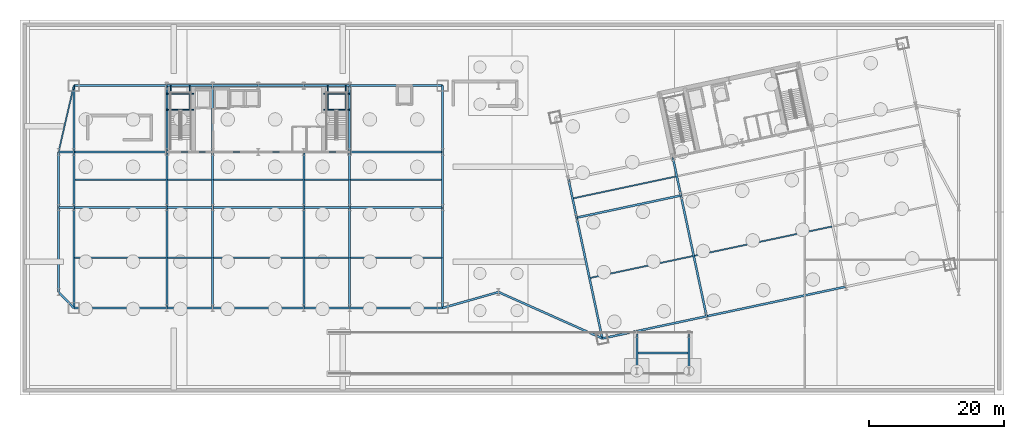
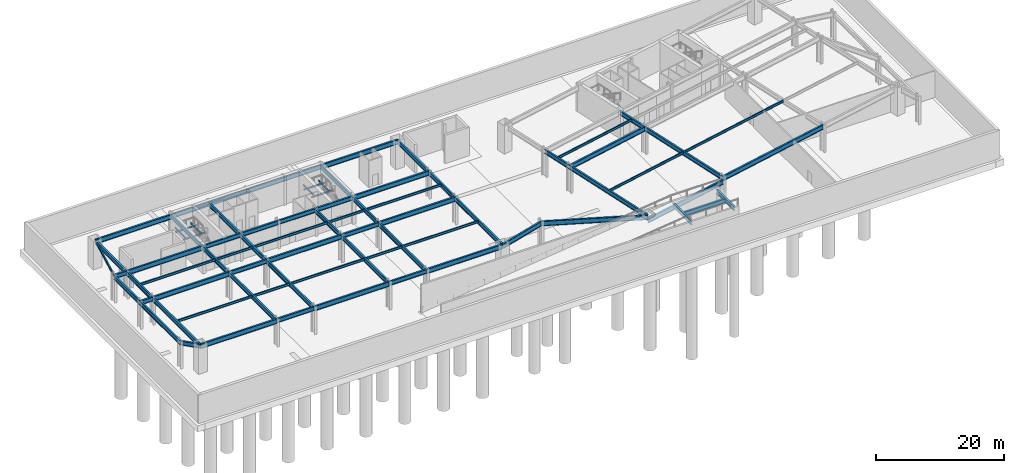
# One storey, part 4 of 15: 78 beams.
"""IFC4 building model written with IfcOpenShell, lengths in metres."""

from ifc_helpers import new_model, si_unit, direction, frame, origin, origin_2d, place, context, subcontext, project, spatial, i_section, extrude, material, material_profile, profile_set, type_object, element, save


model = new_model("IFC4")

# Units and contexts
model_context = context("Model", 3, precision=1e-05, world=origin(), true_north=direction((0.0, 1.0)))
body_context = subcontext(model_context, "Body", "Model", "MODEL_VIEW")
ifc_project = project(units=[si_unit("LENGTHUNIT", "METRE"), si_unit("AREAUNIT", "SQUARE_METRE"), si_unit("VOLUMEUNIT", "CUBIC_METRE"), si_unit("PLANEANGLEUNIT", "RADIAN"), si_unit("MASSUNIT", "GRAM", prefix="KILO")], contexts=[model_context])

# Site, building, storey
site_placement = place(None, origin())
site = spatial("IfcSite", under=ifc_project, at=site_placement, CompositionType="ELEMENT")
building_placement = place(site_placement, origin())
building = spatial("IfcBuilding", under=site, at=building_placement, Name="Haevon Station Towers", CompositionType="ELEMENT")
storey_placement = place(building_placement, frame((0.0, 0.0, -10.800048828125)))
storey = spatial("IfcBuildingStorey", under=building, at=storey_placement, Name="B02", CompositionType="ELEMENT", Elevation=-10.800048828125)

# Beams
ifc_material = material(Name="Steel S355", Category="steel")
ifc_material_profile_1 = material_profile(ifc_material, i_section(OverallWidth=0.199951171875, OverallDepth=0.39990234375, WebThickness=0.008056640625, FlangeThickness=0.012939453125, at=origin_2d()), Name="H-400x200x8x13")
ifc_profile_set_1 = profile_set([ifc_material_profile_1], Name="Steel S355")
beam_type_1 = type_object("IfcBeamType", Name="BM-CANT400", PredefinedType="JOIST", material=ifc_profile_set_1)
beam_1_placement = place(storey_placement, frame((8.0, 38.199951171875, 4.900146484375), z_axis=(0.223768790916, 0.974642256529, 0.0), x_axis=(-0.974642256529, 0.223768790916, 0.0)))
element("IfcBeam", 1, at=beam_1_placement, inside=storey, type_object=beam_type_1, Name="BM-PODTERR-B02", PredefinedType="JOIST", context=body_context, shape_type="SweptSolid", body=[
    extrude(i_section(OverallWidth=0.199951171875, OverallDepth=0.39990234375, WebThickness=0.008056640625, FlangeThickness=0.012939453125, at=origin_2d()), origin(), (0.0, 0.0, 1.0), 10.054931640625),
])
ifc_material_profile_2 = material_profile(ifc_material, i_section(OverallWidth=0.199951171875, OverallDepth=0.449951171875, WebThickness=0.009033203125, FlangeThickness=0.013916015625, at=origin_2d()), Name="H-450x200x9x14")
ifc_profile_set_2 = profile_set([ifc_material_profile_2], Name="Steel S355")
beam_type_2 = type_object("IfcBeamType", Name="BM-J450", PredefinedType="JOIST", material=ifc_profile_set_2)
beam_2_placement = place(storey_placement, frame((10.360107421875, 22.574951171875, 4.875), z_axis=(1.0, 0.0, 0.0), x_axis=(0.0, 1.0, 0.0)))
element("IfcBeam", 2, at=beam_2_placement, inside=storey, type_object=beam_type_2, Name="BM-T1J-B02-01-01", PredefinedType="JOIST", context=body_context, shape_type="SweptSolid", body=[
    extrude(i_section(OverallWidth=0.199951171875, OverallDepth=0.449951171875, WebThickness=0.009033203125, FlangeThickness=0.013916015625, at=origin_2d()), origin(), (0.0, 0.0, 1.0), 13.52978515625),
])
beam_3_placement = place(storey_placement, frame((24.110107421875, 22.574951171875, 4.875), z_axis=(1.0, 0.0, 0.0), x_axis=(0.0, 1.0, 0.0)))
element("IfcBeam", 3, at=beam_3_placement, inside=storey, type_object=beam_type_2, Name="BM-T1J-B02-01-02", PredefinedType="JOIST", context=body_context, shape_type="SweptSolid", body=[
    extrude(i_section(OverallWidth=0.199951171875, OverallDepth=0.449951171875, WebThickness=0.009033203125, FlangeThickness=0.013916015625, at=origin_2d()), origin(), (0.0, 0.0, 1.0), 6.52978515625),
])
beam_4_placement = place(storey_placement, frame((30.860107421875, 22.574951171875, 4.875), z_axis=(1.0, 0.0, 0.0), x_axis=(0.0, 1.0, 0.0)))
element("IfcBeam", 4, at=beam_4_placement, inside=storey, type_object=beam_type_2, Name="BM-T1J-B02-01-03", PredefinedType="JOIST", context=body_context, shape_type="SweptSolid", body=[
    extrude(i_section(OverallWidth=0.199951171875, OverallDepth=0.449951171875, WebThickness=0.009033203125, FlangeThickness=0.013916015625, at=origin_2d()), origin(), (0.0, 0.0, 1.0), 13.27978515625),
])
beam_5_placement = place(storey_placement, frame((44.360107421875, 22.574951171875, 4.875), z_axis=(1.0, 0.0, 0.0), x_axis=(0.0, 1.0, 0.0)))
element("IfcBeam", 5, at=beam_5_placement, inside=storey, type_object=beam_type_2, Name="BM-T1J-B02-01-04", PredefinedType="JOIST", context=body_context, shape_type="SweptSolid", body=[
    extrude(i_section(OverallWidth=0.199951171875, OverallDepth=0.449951171875, WebThickness=0.009033203125, FlangeThickness=0.013916015625, at=origin_2d()), origin(), (0.0, 0.0, 1.0), 6.52978515625),
])
for number, where, z_axis, x_axis, name in (
    (6, (51.110107421875, 22.574951171875, 4.875), (1.0, 0.0, 0.0), (0.0, 1.0, 0.0), "BM-T1J-B02-01-05"),
    (7, (10.360107421875, 34.10009765625, 4.875), (1.0, 0.0, 0.0), (0.0, 1.0, 0.0), "BM-T1J-B02-02-01"),
):
    element("IfcBeam", number, at=place(storey_placement, frame(where, z_axis=z_axis, x_axis=x_axis)), inside=storey, type_object=beam_type_2, Name=name, PredefinedType="JOIST", context=body_context, shape_type="SweptSolid", body=[
        extrude(i_section(OverallWidth=0.199951171875, OverallDepth=0.449951171875, WebThickness=0.009033203125, FlangeThickness=0.013916015625, at=origin_2d()), origin(), (0.0, 0.0, 1.0), 13.52978515625),
    ])
beam_6_placement = place(storey_placement, frame((24.110107421875, 34.10009765625, 4.875), z_axis=(1.0, 0.0, 0.0), x_axis=(0.0, 1.0, 0.0)))
element("IfcBeam", 8, at=beam_6_placement, inside=storey, type_object=beam_type_2, Name="BM-T1J-B02-02-02", PredefinedType="JOIST", context=body_context, shape_type="SweptSolid", body=[
    extrude(i_section(OverallWidth=0.199951171875, OverallDepth=0.449951171875, WebThickness=0.009033203125, FlangeThickness=0.013916015625, at=origin_2d()), origin(), (0.0, 0.0, 1.0), 6.52978515625),
])
beam_7_placement = place(storey_placement, frame((30.860107421875, 34.10009765625, 4.875), z_axis=(1.0, 0.0, 0.0), x_axis=(0.0, 1.0, 0.0)))
element("IfcBeam", 9, at=beam_7_placement, inside=storey, type_object=beam_type_2, Name="BM-T1J-B02-02-03", PredefinedType="JOIST", context=body_context, shape_type="SweptSolid", body=[
    extrude(i_section(OverallWidth=0.199951171875, OverallDepth=0.449951171875, WebThickness=0.009033203125, FlangeThickness=0.013916015625, at=origin_2d()), origin(), (0.0, 0.0, 1.0), 13.27978515625),
])
beam_8_placement = place(storey_placement, frame((44.360107421875, 34.10009765625, 4.875), z_axis=(1.0, 0.0, 0.0), x_axis=(0.0, 1.0, 0.0)))
element("IfcBeam", 10, at=beam_8_placement, inside=storey, type_object=beam_type_2, Name="BM-T1J-B02-02-04", PredefinedType="JOIST", context=body_context, shape_type="SweptSolid", body=[
    extrude(i_section(OverallWidth=0.199951171875, OverallDepth=0.449951171875, WebThickness=0.009033203125, FlangeThickness=0.013916015625, at=origin_2d()), origin(), (0.0, 0.0, 1.0), 6.52978515625),
])
beam_9_placement = place(storey_placement, frame((51.110107421875, 34.10009765625, 4.875), z_axis=(1.0, 0.0, 0.0), x_axis=(0.0, 1.0, 0.0)))
element("IfcBeam", 11, at=beam_9_placement, inside=storey, type_object=beam_type_2, Name="BM-T1J-B02-02-05", PredefinedType="JOIST", context=body_context, shape_type="SweptSolid", body=[
    extrude(i_section(OverallWidth=0.199951171875, OverallDepth=0.449951171875, WebThickness=0.009033203125, FlangeThickness=0.013916015625, at=origin_2d()), origin(), (0.0, 0.0, 1.0), 13.52978515625),
])
beam_10_placement = place(storey_placement, frame((86.55712890625, 19.591796875, 4.875), z_axis=(0.978145944065, 0.207919484679, 0.0), x_axis=(-0.207919484679, 0.978145944065, 0.0)))
element("IfcBeam", 12, at=beam_10_placement, inside=storey, type_object=beam_type_2, Name="BM-T2J-B02-01-01", PredefinedType="JOIST", context=body_context, shape_type="SweptSolid", body=[
    extrude(i_section(OverallWidth=0.199951171875, OverallDepth=0.449951171875, WebThickness=0.009033203125, FlangeThickness=0.013916015625, at=origin_2d()), origin(), (0.0, 0.0, 1.0), 15.530029296875),
])
beam_11_placement = place(storey_placement, frame((101.963134765625, 22.866455078125, 4.875), z_axis=(0.97814804034, 0.207909622623, 0.0), x_axis=(-0.207909622623, 0.97814804034, 0.0)))
element("IfcBeam", 13, at=beam_11_placement, inside=storey, type_object=beam_type_2, Name="BM-T2J-B02-01-02", PredefinedType="JOIST", context=body_context, shape_type="SweptSolid", body=[
    extrude(i_section(OverallWidth=0.199951171875, OverallDepth=0.449951171875, WebThickness=0.009033203125, FlangeThickness=0.013916015625, at=origin_2d()), origin(), (0.0, 0.0, 1.0), 20.77978515625),
])
beam_12_placement = place(storey_placement, frame((84.05712890625, 31.35400390625, 4.875), z_axis=(0.978145944065, 0.207919484679, 0.0), x_axis=(-0.207919484679, 0.978145944065, 0.0)))
element("IfcBeam", 14, at=beam_12_placement, inside=storey, type_object=beam_type_2, Name="BM-T2J-B02-02-01", PredefinedType="JOIST", context=body_context, shape_type="SweptSolid", body=[
    extrude(i_section(OverallWidth=0.199951171875, OverallDepth=0.449951171875, WebThickness=0.009033203125, FlangeThickness=0.013916015625, at=origin_2d()), origin(), (0.0, 0.0, 1.0), 15.530029296875),
])
ifc_material_profile_3 = material_profile(ifc_material, i_section(OverallWidth=0.14990234375, OverallDepth=0.300048828125, WebThickness=0.006591796875, FlangeThickness=0.009033203125, at=origin_2d()), Name="H-300x150x6.5x9")
ifc_profile_set_3 = profile_set([ifc_material_profile_3], Name="Steel S355")
beam_type_3 = type_object("IfcBeamType", Name="BM-LIN300", PredefinedType="LINTEL", material=ifc_profile_set_3)
for number, where, z_axis, x_axis, name in (
    (15, (24.0, 44.424072265625, 2.35009765625), (1.0, 0.0, 0.0), (0.0, 1.0, 0.0), "BM-ST1L-B02-1-S"),
    (16, (24.0, 46.820068359375, 2.35009765625), (1.0, 0.0, 0.0), (0.0, 1.0, 0.0), "BM-ST1L-B02-1-N"),
):
    element("IfcBeam", number, at=place(storey_placement, frame(where, z_axis=z_axis, x_axis=x_axis)), inside=storey, type_object=beam_type_3, Name=name, PredefinedType="LINTEL", context=body_context, shape_type="SweptSolid", body=[
        extrude(i_section(OverallWidth=0.14990234375, OverallDepth=0.300048828125, WebThickness=0.006591796875, FlangeThickness=0.009033203125, at=origin_2d()), origin(), (0.0, 0.0, 1.0), 3.949951171875),
    ])
for number, where, z_axis, x_axis, name in (
    (17, (24.60009765625, 44.424072265625, 2.35009765625), (0.0, 1.0, 0.0), (-1.0, 0.0, 0.0), "BM-ST1L-B02-1-W"),
    (18, (27.35009765625, 44.424072265625, 2.35009765625), (0.0, 1.0, 0.0), (-1.0, 0.0, 0.0), "BM-ST1L-B02-1-E"),
):
    element("IfcBeam", number, at=place(storey_placement, frame(where, z_axis=z_axis, x_axis=x_axis)), inside=storey, type_object=beam_type_3, Name=name, PredefinedType="LINTEL", context=body_context, shape_type="SweptSolid", body=[
        extrude(i_section(OverallWidth=0.14990234375, OverallDepth=0.300048828125, WebThickness=0.006591796875, FlangeThickness=0.009033203125, at=origin_2d()), origin(), (0.0, 0.0, 1.0), 3.575927734375),
    ])
for number, where, z_axis, x_axis, name in (
    (19, (47.14990234375, 44.424072265625, 2.35009765625), (1.0, 0.0, 0.0), (0.0, 1.0, 0.0), "BM-ST2L-B02-1-S"),
    (20, (47.14990234375, 46.820068359375, 2.35009765625), (1.0, 0.0, 0.0), (0.0, 1.0, 0.0), "BM-ST2L-B02-1-N"),
):
    element("IfcBeam", number, at=place(storey_placement, frame(where, z_axis=z_axis, x_axis=x_axis)), inside=storey, type_object=beam_type_3, Name=name, PredefinedType="LINTEL", context=body_context, shape_type="SweptSolid", body=[
        extrude(i_section(OverallWidth=0.14990234375, OverallDepth=0.300048828125, WebThickness=0.006591796875, FlangeThickness=0.009033203125, at=origin_2d()), origin(), (0.0, 0.0, 1.0), 3.85009765625),
    ])
for number, where, z_axis, x_axis, name in (
    (21, (47.75, 44.424072265625, 2.35009765625), (0.0, 1.0, 0.0), (-1.0, 0.0, 0.0), "BM-ST2L-B02-1-W"),
    (22, (50.39990234375, 44.424072265625, 2.35009765625), (0.0, 1.0, 0.0), (-1.0, 0.0, 0.0), "BM-ST2L-B02-1-E"),
):
    element("IfcBeam", number, at=place(storey_placement, frame(where, z_axis=z_axis, x_axis=x_axis)), inside=storey, type_object=beam_type_3, Name=name, PredefinedType="LINTEL", context=body_context, shape_type="SweptSolid", body=[
        extrude(i_section(OverallWidth=0.14990234375, OverallDepth=0.300048828125, WebThickness=0.006591796875, FlangeThickness=0.009033203125, at=origin_2d()), origin(), (0.0, 0.0, 1.0), 3.575927734375),
    ])
ifc_material_profile_4 = material_profile(ifc_material, i_section(OverallWidth=0.300048828125, OverallDepth=0.800048828125, WebThickness=0.013916015625, FlangeThickness=0.02587890625, at=origin_2d()), Name="H-800x300x14x26")
ifc_profile_set_4 = profile_set([ifc_material_profile_4], Name="Steel S355")
beam_type_4 = type_object("IfcBeamType", Name="BM-PG800", PredefinedType="BEAM", material=ifc_profile_set_4)
for number, where, z_axis, x_axis, name in (
    (23, (24.0, 15.14990234375, 4.699951171875), (1.0, 0.0, 0.0), (0.0, 1.0, 0.0), "BM-T1X-B02-01-02"),
    (24, (44.25, 15.14990234375, 4.699951171875), (1.0, 0.0, 0.0), (0.0, 1.0, 0.0), "BM-T1X-B02-01-05"),
    (25, (24.0, 30.0, 4.699951171875), (1.0, 0.0, 0.0), (0.0, 1.0, 0.0), "BM-T1X-B02-02-02"),
    (26, (44.25, 30.0, 4.699951171875), (1.0, 0.0, 0.0), (0.0, 1.0, 0.0), "BM-T1X-B02-02-05"),
    (27, (24.0, 38.199951171875, 4.699951171875), (1.0, 0.0, 0.0), (0.0, 1.0, 0.0), "BM-T1X-B02-03-02"),
    (28, (30.75, 38.199951171875, 4.699951171875), (1.0, 0.0, 0.0), (0.0, 1.0, 0.0), "BM-T1X-B02-03-03"),
    (29, (37.5, 38.199951171875, 4.699951171875), (1.0, 0.0, 0.0), (0.0, 1.0, 0.0), "BM-T1X-B02-03-04"),
    (30, (44.25, 38.199951171875, 4.699951171875), (1.0, 0.0, 0.0), (0.0, 1.0, 0.0), "BM-T1X-B02-03-05"),
    (31, (24.0, 48.0, 4.699951171875), (1.0, 0.0, 0.0), (0.0, 1.0, 0.0), "BM-T1X-B02-04-02"),
    (32, (30.75, 48.0, 4.699951171875), (1.0, 0.0, 0.0), (0.0, 1.0, 0.0), "BM-T1X-B02-04-03"),
    (33, (37.5, 48.0, 4.699951171875), (1.0, 0.0, 0.0), (0.0, 1.0, 0.0), "BM-T1X-B02-04-04"),
    (34, (44.25, 48.0, 4.699951171875), (1.0, 0.0, 0.0), (0.0, 1.0, 0.0), "BM-T1X-B02-04-05"),
):
    element("IfcBeam", number, at=place(storey_placement, frame(where, z_axis=z_axis, x_axis=x_axis)), inside=storey, type_object=beam_type_4, Name=name, PredefinedType="BEAM", context=body_context, shape_type="SweptSolid", body=[
        extrude(i_section(OverallWidth=0.300048828125, OverallDepth=0.800048828125, WebThickness=0.013916015625, FlangeThickness=0.02587890625, at=origin_2d()), origin(), (0.0, 0.0, 1.0), 6.75),
    ])
beam_13_placement = place(storey_placement, frame((10.25, 15.14990234375, 4.699951171875), z_axis=(0.0, 1.0, 0.0), x_axis=(-1.0, 0.0, 0.0)))
element("IfcBeam", 35, at=beam_13_placement, inside=storey, type_object=beam_type_4, Name="BM-T1Y-B02-01-01", PredefinedType="BEAM", context=body_context, shape_type="SweptSolid", body=[
    extrude(i_section(OverallWidth=0.300048828125, OverallDepth=0.800048828125, WebThickness=0.013916015625, FlangeThickness=0.02587890625, at=origin_2d()), origin(), (0.0, 0.0, 1.0), 14.85009765625),
])
beam_14_placement = place(storey_placement, frame((10.25, 30.0, 4.699951171875), z_axis=(0.0, 1.0, 0.0), x_axis=(-1.0, 0.0, 0.0)))
element("IfcBeam", 36, at=beam_14_placement, inside=storey, type_object=beam_type_4, Name="BM-T1Y-B02-01-02", PredefinedType="BEAM", context=body_context, shape_type="SweptSolid", body=[
    extrude(i_section(OverallWidth=0.300048828125, OverallDepth=0.800048828125, WebThickness=0.013916015625, FlangeThickness=0.02587890625, at=origin_2d()), origin(), (0.0, 0.0, 1.0), 8.199951171875),
])
beam_15_placement = place(storey_placement, frame((10.25, 38.199951171875, 4.699951171875), z_axis=(0.0, 1.0, 0.0), x_axis=(-1.0, 0.0, 0.0)))
element("IfcBeam", 37, at=beam_15_placement, inside=storey, type_object=beam_type_4, Name="BM-T1Y-B02-01-03", PredefinedType="BEAM", context=body_context, shape_type="SweptSolid", body=[
    extrude(i_section(OverallWidth=0.300048828125, OverallDepth=0.800048828125, WebThickness=0.013916015625, FlangeThickness=0.02587890625, at=origin_2d()), origin(), (0.0, 0.0, 1.0), 9.800048828125),
])
beam_16_placement = place(storey_placement, frame((24.0, 15.14990234375, 4.699951171875), z_axis=(0.0, 1.0, 0.0), x_axis=(-1.0, 0.0, 0.0)))
element("IfcBeam", 38, at=beam_16_placement, inside=storey, type_object=beam_type_4, Name="BM-T1Y-B02-02-01", PredefinedType="BEAM", context=body_context, shape_type="SweptSolid", body=[
    extrude(i_section(OverallWidth=0.300048828125, OverallDepth=0.800048828125, WebThickness=0.013916015625, FlangeThickness=0.02587890625, at=origin_2d()), origin(), (0.0, 0.0, 1.0), 14.85009765625),
])
beam_17_placement = place(storey_placement, frame((24.0, 30.0, 4.699951171875), z_axis=(0.0, 1.0, 0.0), x_axis=(-1.0, 0.0, 0.0)))
element("IfcBeam", 39, at=beam_17_placement, inside=storey, type_object=beam_type_4, Name="BM-T1Y-B02-02-02", PredefinedType="BEAM", context=body_context, shape_type="SweptSolid", body=[
    extrude(i_section(OverallWidth=0.300048828125, OverallDepth=0.800048828125, WebThickness=0.013916015625, FlangeThickness=0.02587890625, at=origin_2d()), origin(), (0.0, 0.0, 1.0), 8.199951171875),
])
beam_18_placement = place(storey_placement, frame((24.0, 38.199951171875, 4.699951171875), z_axis=(0.0, 1.0, 0.0), x_axis=(-1.0, 0.0, 0.0)))
element("IfcBeam", 40, at=beam_18_placement, inside=storey, type_object=beam_type_4, Name="BM-T1Y-B02-02-03", PredefinedType="BEAM", context=body_context, shape_type="SweptSolid", body=[
    extrude(i_section(OverallWidth=0.300048828125, OverallDepth=0.800048828125, WebThickness=0.013916015625, FlangeThickness=0.02587890625, at=origin_2d()), origin(), (0.0, 0.0, 1.0), 9.800048828125),
])
beam_19_placement = place(storey_placement, frame((30.75, 15.14990234375, 4.699951171875), z_axis=(0.0, 1.0, 0.0), x_axis=(-1.0, 0.0, 0.0)))
element("IfcBeam", 41, at=beam_19_placement, inside=storey, type_object=beam_type_4, Name="BM-T1Y-B02-03-01", PredefinedType="BEAM", context=body_context, shape_type="SweptSolid", body=[
    extrude(i_section(OverallWidth=0.300048828125, OverallDepth=0.800048828125, WebThickness=0.013916015625, FlangeThickness=0.02587890625, at=origin_2d()), origin(), (0.0, 0.0, 1.0), 14.85009765625),
])
beam_20_placement = place(storey_placement, frame((30.75, 30.0, 4.699951171875), z_axis=(0.0, 1.0, 0.0), x_axis=(-1.0, 0.0, 0.0)))
element("IfcBeam", 42, at=beam_20_placement, inside=storey, type_object=beam_type_4, Name="BM-T1Y-B02-03-02", PredefinedType="BEAM", context=body_context, shape_type="SweptSolid", body=[
    extrude(i_section(OverallWidth=0.300048828125, OverallDepth=0.800048828125, WebThickness=0.013916015625, FlangeThickness=0.02587890625, at=origin_2d()), origin(), (0.0, 0.0, 1.0), 8.199951171875),
])
beam_21_placement = place(storey_placement, frame((30.75, 38.199951171875, 4.699951171875), z_axis=(0.0, 1.0, 0.0), x_axis=(-1.0, 0.0, 0.0)))
element("IfcBeam", 43, at=beam_21_placement, inside=storey, type_object=beam_type_4, Name="BM-T1Y-B02-03-03", PredefinedType="BEAM", context=body_context, shape_type="SweptSolid", body=[
    extrude(i_section(OverallWidth=0.300048828125, OverallDepth=0.800048828125, WebThickness=0.013916015625, FlangeThickness=0.02587890625, at=origin_2d()), origin(), (0.0, 0.0, 1.0), 9.800048828125),
])
beam_22_placement = place(storey_placement, frame((44.25, 15.14990234375, 4.699951171875), z_axis=(0.0, 1.0, 0.0), x_axis=(-1.0, 0.0, 0.0)))
element("IfcBeam", 44, at=beam_22_placement, inside=storey, type_object=beam_type_4, Name="BM-T1Y-B02-05-01", PredefinedType="BEAM", context=body_context, shape_type="SweptSolid", body=[
    extrude(i_section(OverallWidth=0.300048828125, OverallDepth=0.800048828125, WebThickness=0.013916015625, FlangeThickness=0.02587890625, at=origin_2d()), origin(), (0.0, 0.0, 1.0), 14.85009765625),
])
beam_23_placement = place(storey_placement, frame((44.25, 30.0, 4.699951171875), z_axis=(0.0, 1.0, 0.0), x_axis=(-1.0, 0.0, 0.0)))
element("IfcBeam", 45, at=beam_23_placement, inside=storey, type_object=beam_type_4, Name="BM-T1Y-B02-05-02", PredefinedType="BEAM", context=body_context, shape_type="SweptSolid", body=[
    extrude(i_section(OverallWidth=0.300048828125, OverallDepth=0.800048828125, WebThickness=0.013916015625, FlangeThickness=0.02587890625, at=origin_2d()), origin(), (0.0, 0.0, 1.0), 8.199951171875),
])
beam_24_placement = place(storey_placement, frame((51.0, 15.14990234375, 4.699951171875), z_axis=(0.0, 1.0, 0.0), x_axis=(-1.0, 0.0, 0.0)))
element("IfcBeam", 46, at=beam_24_placement, inside=storey, type_object=beam_type_4, Name="BM-T1Y-B02-06-01", PredefinedType="BEAM", context=body_context, shape_type="SweptSolid", body=[
    extrude(i_section(OverallWidth=0.300048828125, OverallDepth=0.800048828125, WebThickness=0.013916015625, FlangeThickness=0.02587890625, at=origin_2d()), origin(), (0.0, 0.0, 1.0), 14.85009765625),
])
beam_25_placement = place(storey_placement, frame((51.0, 30.0, 4.699951171875), z_axis=(0.0, 1.0, 0.0), x_axis=(-1.0, 0.0, 0.0)))
element("IfcBeam", 47, at=beam_25_placement, inside=storey, type_object=beam_type_4, Name="BM-T1Y-B02-06-02", PredefinedType="BEAM", context=body_context, shape_type="SweptSolid", body=[
    extrude(i_section(OverallWidth=0.300048828125, OverallDepth=0.800048828125, WebThickness=0.013916015625, FlangeThickness=0.02587890625, at=origin_2d()), origin(), (0.0, 0.0, 1.0), 8.199951171875),
])
beam_26_placement = place(storey_placement, frame((51.0, 38.199951171875, 4.699951171875), z_axis=(0.0, 1.0, 0.0), x_axis=(-1.0, 0.0, 0.0)))
element("IfcBeam", 48, at=beam_26_placement, inside=storey, type_object=beam_type_4, Name="BM-T1Y-B02-06-03", PredefinedType="BEAM", context=body_context, shape_type="SweptSolid", body=[
    extrude(i_section(OverallWidth=0.300048828125, OverallDepth=0.800048828125, WebThickness=0.013916015625, FlangeThickness=0.02587890625, at=origin_2d()), origin(), (0.0, 0.0, 1.0), 9.800048828125),
])
beam_27_placement = place(storey_placement, frame((64.75, 15.14990234375, 4.699951171875), z_axis=(0.0, 1.0, 0.0), x_axis=(-1.0, 0.0, 0.0)))
element("IfcBeam", 49, at=beam_27_placement, inside=storey, type_object=beam_type_4, Name="BM-T1Y-B02-07-01", PredefinedType="BEAM", context=body_context, shape_type="SweptSolid", body=[
    extrude(i_section(OverallWidth=0.300048828125, OverallDepth=0.800048828125, WebThickness=0.013916015625, FlangeThickness=0.02587890625, at=origin_2d()), origin(), (0.0, 0.0, 1.0), 14.85009765625),
])
beam_28_placement = place(storey_placement, frame((64.75, 30.0, 4.699951171875), z_axis=(0.0, 1.0, 0.0), x_axis=(-1.0, 0.0, 0.0)))
element("IfcBeam", 50, at=beam_28_placement, inside=storey, type_object=beam_type_4, Name="BM-T1Y-B02-07-02", PredefinedType="BEAM", context=body_context, shape_type="SweptSolid", body=[
    extrude(i_section(OverallWidth=0.300048828125, OverallDepth=0.800048828125, WebThickness=0.013916015625, FlangeThickness=0.02587890625, at=origin_2d()), origin(), (0.0, 0.0, 1.0), 8.199951171875),
])
beam_29_placement = place(storey_placement, frame((64.75, 38.199951171875, 4.699951171875), z_axis=(0.0, 1.0, 0.0), x_axis=(-1.0, 0.0, 0.0)))
element("IfcBeam", 51, at=beam_29_placement, inside=storey, type_object=beam_type_4, Name="BM-T1Y-B02-07-03", PredefinedType="BEAM", context=body_context, shape_type="SweptSolid", body=[
    extrude(i_section(OverallWidth=0.300048828125, OverallDepth=0.800048828125, WebThickness=0.013916015625, FlangeThickness=0.02587890625, at=origin_2d()), origin(), (0.0, 0.0, 1.0), 9.800048828125),
])
beam_30_placement = place(storey_placement, frame((88.346923828125, 10.643310546875, 4.699951171875), z_axis=(-0.207912673377, 0.978147391884, 0.0), x_axis=(-0.978147391884, -0.207912673377, 0.0)))
element("IfcBeam", 52, at=beam_30_placement, inside=storey, type_object=beam_type_4, Name="BM-T2V-B02-01-01", PredefinedType="BEAM", context=body_context, shape_type="SweptSolid", body=[
    extrude(i_section(OverallWidth=0.300048828125, OverallDepth=0.800048828125, WebThickness=0.013916015625, FlangeThickness=0.02587890625, at=origin_2d()), origin(), (0.0, 0.0, 1.0), 18.250244140625),
])
beam_31_placement = place(storey_placement, frame((84.552490234375, 28.49462890625, 4.699951171875), z_axis=(-0.207944843707, 0.978140553282, 0.0), x_axis=(-0.978140553282, -0.207944843707, 0.0)))
element("IfcBeam", 53, at=beam_31_placement, inside=storey, type_object=beam_type_4, Name="BM-T2V-B02-01-02", PredefinedType="BEAM", context=body_context, shape_type="SweptSolid", body=[
    extrude(i_section(OverallWidth=0.300048828125, OverallDepth=0.800048828125, WebThickness=0.013916015625, FlangeThickness=0.02587890625, at=origin_2d()), origin(), (0.0, 0.0, 1.0), 5.7998046875),
])
beam_32_placement = place(storey_placement, frame((103.752685546875, 13.91796875, 4.699951171875), z_axis=(-0.207915393978, 0.978146813595, 0.0), x_axis=(-0.978146813595, -0.207915393978, 0.0)))
element("IfcBeam", 54, at=beam_32_placement, inside=storey, type_object=beam_type_4, Name="BM-T2V-B02-02-01", PredefinedType="BEAM", context=body_context, shape_type="SweptSolid", body=[
    extrude(i_section(OverallWidth=0.300048828125, OverallDepth=0.800048828125, WebThickness=0.013916015625, FlangeThickness=0.02587890625, at=origin_2d()), origin(), (0.0, 0.0, 1.0), 18.25),
])
beam_33_placement = place(storey_placement, frame((99.958251953125, 31.76904296875, 4.699951171875), z_axis=(-0.207896009217, 0.97815093383, 0.0), x_axis=(-0.97815093383, -0.207896009217, 0.0)))
element("IfcBeam", 55, at=beam_33_placement, inside=storey, type_object=beam_type_4, Name="BM-T2V-B02-02-02", PredefinedType="BEAM", context=body_context, shape_type="SweptSolid", body=[
    extrude(i_section(OverallWidth=0.300048828125, OverallDepth=0.800048828125, WebThickness=0.013916015625, FlangeThickness=0.02587890625, at=origin_2d()), origin(), (0.0, 0.0, 1.0), 5.800048828125),
])
beam_34_placement = place(storey_placement, frame((8.0, 17.5, 4.699951171875), z_axis=(0.691556505419, -0.722322365577, 0.0), x_axis=(0.722322365577, 0.691556505419, 0.0)))
element("IfcBeam", 56, at=beam_34_placement, inside=storey, type_object=beam_type_4, Name="BM-PODW-B02-1", PredefinedType="BEAM", context=body_context, shape_type="SweptSolid", body=[
    extrude(i_section(OverallWidth=0.300048828125, OverallDepth=0.800048828125, WebThickness=0.013916015625, FlangeThickness=0.02587890625, at=origin_2d()), origin(), (0.0, 0.0, 1.0), 3.25341796875),
])
for number, where, z_axis, x_axis, name in (
    (57, (8.0, 30.0, 4.699951171875), (1.0, 0.0, 0.0), (0.0, 1.0, 0.0), "BM-PODW-B02-2"),
    (58, (8.0, 38.199951171875, 4.699951171875), (1.0, 0.0, 0.0), (0.0, 1.0, 0.0), "BM-PODW-B02-3"),
):
    element("IfcBeam", number, at=place(storey_placement, frame(where, z_axis=z_axis, x_axis=x_axis)), inside=storey, type_object=beam_type_4, Name=name, PredefinedType="BEAM", context=body_context, shape_type="SweptSolid", body=[
        extrude(i_section(OverallWidth=0.300048828125, OverallDepth=0.800048828125, WebThickness=0.013916015625, FlangeThickness=0.02587890625, at=origin_2d()), origin(), (0.0, 0.0, 1.0), 2.25),
    ])
beam_35_placement = place(storey_placement, frame((8.0, 17.5, 4.699951171875), z_axis=(0.0, 1.0, 0.0), x_axis=(-1.0, 0.0, 0.0)))
element("IfcBeam", 59, at=beam_35_placement, inside=storey, type_object=beam_type_4, Name="BM-PODNS-B02-W1", PredefinedType="BEAM", context=body_context, shape_type="SweptSolid", body=[
    extrude(i_section(OverallWidth=0.300048828125, OverallDepth=0.800048828125, WebThickness=0.013916015625, FlangeThickness=0.02587890625, at=origin_2d()), origin(), (0.0, 0.0, 1.0), 12.5),
])
beam_36_placement = place(storey_placement, frame((8.0, 30.0, 4.699951171875), z_axis=(0.0, 1.0, 0.0), x_axis=(-1.0, 0.0, 0.0)))
element("IfcBeam", 60, at=beam_36_placement, inside=storey, type_object=beam_type_4, Name="BM-PODNS-B02-W2", PredefinedType="BEAM", context=body_context, shape_type="SweptSolid", body=[
    extrude(i_section(OverallWidth=0.300048828125, OverallDepth=0.800048828125, WebThickness=0.013916015625, FlangeThickness=0.02587890625, at=origin_2d()), origin(), (0.0, 0.0, 1.0), 8.199951171875),
])
for number, where, z_axis, x_axis, name in (
    (61, (93.449951171875, 5.85009765625, 4.699951171875), (0.0, 1.0, 0.0), (-1.0, 0.0, 0.0), "BM-RMP-B02-W"),
    (62, (101.14990234375, 5.85009765625, 4.699951171875), (0.0, 1.0, 0.0), (-1.0, 0.0, 0.0), "BM-RMP-B02-E"),
):
    element("IfcBeam", number, at=place(storey_placement, frame(where, z_axis=z_axis, x_axis=x_axis)), inside=storey, type_object=beam_type_4, Name=name, PredefinedType="BEAM", context=body_context, shape_type="SweptSolid", body=[
        extrude(i_section(OverallWidth=0.300048828125, OverallDepth=0.800048828125, WebThickness=0.013916015625, FlangeThickness=0.02587890625, at=origin_2d()), origin(), (0.0, 0.0, 1.0), 5.449951171875),
    ])
beam_37_placement = place(storey_placement, frame((93.590087890625, 8.5, 4.699951171875), z_axis=(1.0, 0.0, 0.0), x_axis=(0.0, 1.0, 0.0)))
element("IfcBeam", 63, at=beam_37_placement, inside=storey, type_object=beam_type_4, Name="BM-RMP-B02-SPINE", PredefinedType="BEAM", context=body_context, shape_type="SweptSolid", body=[
    extrude(i_section(OverallWidth=0.300048828125, OverallDepth=0.800048828125, WebThickness=0.013916015625, FlangeThickness=0.02587890625, at=origin_2d()), origin(), (0.0, 0.0, 1.0), 7.419921875),
])
ifc_material_profile_5 = material_profile(ifc_material, i_section(OverallWidth=0.300048828125, OverallDepth=0.89990234375, WebThickness=0.01611328125, FlangeThickness=0.028076171875, at=origin_2d()), Name="H-900x300x16x28")
ifc_profile_set_5 = profile_set([ifc_material_profile_5], Name="Steel S355")
beam_type_5 = type_object("IfcBeamType", Name="BM-PG900", PredefinedType="BEAM", material=ifc_profile_set_5)
beam_38_placement = place(storey_placement, frame((10.25, 15.14990234375, 4.650146484375), z_axis=(1.0, 0.0, 0.0), x_axis=(0.0, 1.0, 0.0)))
element("IfcBeam", 64, at=beam_38_placement, inside=storey, type_object=beam_type_5, Name="BM-T1X-B02-01-01", PredefinedType="BEAM", context=body_context, shape_type="SweptSolid", body=[
    extrude(i_section(OverallWidth=0.300048828125, OverallDepth=0.89990234375, WebThickness=0.01611328125, FlangeThickness=0.028076171875, at=origin_2d()), origin(), (0.0, 0.0, 1.0), 13.75),
])
beam_39_placement = place(storey_placement, frame((30.75, 15.14990234375, 4.650146484375), z_axis=(1.0, 0.0, 0.0), x_axis=(0.0, 1.0, 0.0)))
element("IfcBeam", 65, at=beam_39_placement, inside=storey, type_object=beam_type_5, Name="BM-T1X-B02-01-03", PredefinedType="BEAM", context=body_context, shape_type="SweptSolid", body=[
    extrude(i_section(OverallWidth=0.300048828125, OverallDepth=0.89990234375, WebThickness=0.01611328125, FlangeThickness=0.028076171875, at=origin_2d()), origin(), (0.0, 0.0, 1.0), 13.5),
])
for number, where, z_axis, x_axis, name in (
    (66, (51.0, 15.14990234375, 4.650146484375), (1.0, 0.0, 0.0), (0.0, 1.0, 0.0), "BM-T1X-B02-01-06"),
    (67, (10.25, 30.0, 4.650146484375), (1.0, 0.0, 0.0), (0.0, 1.0, 0.0), "BM-T1X-B02-02-01"),
):
    element("IfcBeam", number, at=place(storey_placement, frame(where, z_axis=z_axis, x_axis=x_axis)), inside=storey, type_object=beam_type_5, Name=name, PredefinedType="BEAM", context=body_context, shape_type="SweptSolid", body=[
        extrude(i_section(OverallWidth=0.300048828125, OverallDepth=0.89990234375, WebThickness=0.01611328125, FlangeThickness=0.028076171875, at=origin_2d()), origin(), (0.0, 0.0, 1.0), 13.75),
    ])
beam_40_placement = place(storey_placement, frame((30.75, 30.0, 4.650146484375), z_axis=(1.0, 0.0, 0.0), x_axis=(0.0, 1.0, 0.0)))
element("IfcBeam", 68, at=beam_40_placement, inside=storey, type_object=beam_type_5, Name="BM-T1X-B02-02-03", PredefinedType="BEAM", context=body_context, shape_type="SweptSolid", body=[
    extrude(i_section(OverallWidth=0.300048828125, OverallDepth=0.89990234375, WebThickness=0.01611328125, FlangeThickness=0.028076171875, at=origin_2d()), origin(), (0.0, 0.0, 1.0), 13.5),
])
for number, where, z_axis, x_axis, name in (
    (69, (51.0, 30.0, 4.650146484375), (1.0, 0.0, 0.0), (0.0, 1.0, 0.0), "BM-T1X-B02-02-06"),
    (70, (10.25, 38.199951171875, 4.650146484375), (1.0, 0.0, 0.0), (0.0, 1.0, 0.0), "BM-T1X-B02-03-01"),
    (71, (51.0, 38.199951171875, 4.650146484375), (1.0, 0.0, 0.0), (0.0, 1.0, 0.0), "BM-T1X-B02-03-06"),
    (72, (10.25, 48.0, 4.650146484375), (1.0, 0.0, 0.0), (0.0, 1.0, 0.0), "BM-T1X-B02-04-01"),
    (73, (51.0, 48.0, 4.650146484375), (1.0, 0.0, 0.0), (0.0, 1.0, 0.0), "BM-T1X-B02-04-06"),
):
    element("IfcBeam", number, at=place(storey_placement, frame(where, z_axis=z_axis, x_axis=x_axis)), inside=storey, type_object=beam_type_5, Name=name, PredefinedType="BEAM", context=body_context, shape_type="SweptSolid", body=[
        extrude(i_section(OverallWidth=0.300048828125, OverallDepth=0.89990234375, WebThickness=0.01611328125, FlangeThickness=0.028076171875, at=origin_2d()), origin(), (0.0, 0.0, 1.0), 13.75),
    ])
beam_41_placement = place(storey_placement, frame((88.346923828125, 10.643310546875, 4.0), z_axis=(0.978146794194, 0.207915485254, 0.0), x_axis=(-0.207915485254, 0.978146794194, 0.0)))
element("IfcBeam", 74, at=beam_41_placement, inside=storey, type_object=beam_type_5, Name="BM-T2U-B02-01-01", PredefinedType="BEAM", context=body_context, shape_type="SweptSolid", body=[
    extrude(i_section(OverallWidth=0.300048828125, OverallDepth=0.89990234375, WebThickness=0.01611328125, FlangeThickness=0.028076171875, at=origin_2d()), origin(), (0.0, 0.0, 1.0), 15.75),
])
beam_42_placement = place(storey_placement, frame((103.752685546875, 13.91796875, 4.650146484375), z_axis=(0.978146794194, 0.207915485254, 0.0), x_axis=(-0.207915485254, 0.978146794194, 0.0)))
element("IfcBeam", 75, at=beam_42_placement, inside=storey, type_object=beam_type_5, Name="BM-T2U-B02-01-02", PredefinedType="BEAM", context=body_context, shape_type="SweptSolid", body=[
    extrude(i_section(OverallWidth=0.300048828125, OverallDepth=0.89990234375, WebThickness=0.01611328125, FlangeThickness=0.028076171875, at=origin_2d()), origin(), (0.0, 0.0, 1.0), 21.0),
])
beam_43_placement = place(storey_placement, frame((84.552490234375, 28.49462890625, 4.650146484375), z_axis=(0.978149946567, 0.207900654232, 0.0), x_axis=(-0.207900654232, 0.978149946567, 0.0)))
element("IfcBeam", 76, at=beam_43_placement, inside=storey, type_object=beam_type_5, Name="BM-T2U-B02-02-01", PredefinedType="BEAM", context=body_context, shape_type="SweptSolid", body=[
    extrude(i_section(OverallWidth=0.300048828125, OverallDepth=0.89990234375, WebThickness=0.01611328125, FlangeThickness=0.028076171875, at=origin_2d()), origin(), (0.0, 0.0, 1.0), 15.75),
])
beam_44_placement = place(storey_placement, frame((64.75, 15.14990234375, 4.650146484375), z_axis=(0.961740592782, 0.273961734911, 0.0), x_axis=(-0.273961734911, 0.961740592782, 0.0)))
element("IfcBeam", 77, at=beam_44_placement, inside=storey, type_object=beam_type_5, Name="BM-PODLKS1-B02", PredefinedType="BEAM", context=body_context, shape_type="SweptSolid", body=[
    extrude(i_section(OverallWidth=0.300048828125, OverallDepth=0.89990234375, WebThickness=0.01611328125, FlangeThickness=0.028076171875, at=origin_2d()), origin(), (0.0, 0.0, 1.0), 8.578125),
])
beam_45_placement = place(storey_placement, frame((73.0, 17.5, 4.650146484375), z_axis=(0.913018608866, -0.407917908242, 0.0), x_axis=(0.407917908242, 0.913018608866, 0.0)))
element("IfcBeam", 78, at=beam_45_placement, inside=storey, type_object=beam_type_5, Name="BM-PODLKS2-B02", PredefinedType="BEAM", context=body_context, shape_type="SweptSolid", body=[
    extrude(i_section(OverallWidth=0.300048828125, OverallDepth=0.89990234375, WebThickness=0.01611328125, FlangeThickness=0.028076171875, at=origin_2d()), origin(), (0.0, 0.0, 1.0), 16.80908203125),
])

save(model, "model.ifc")
